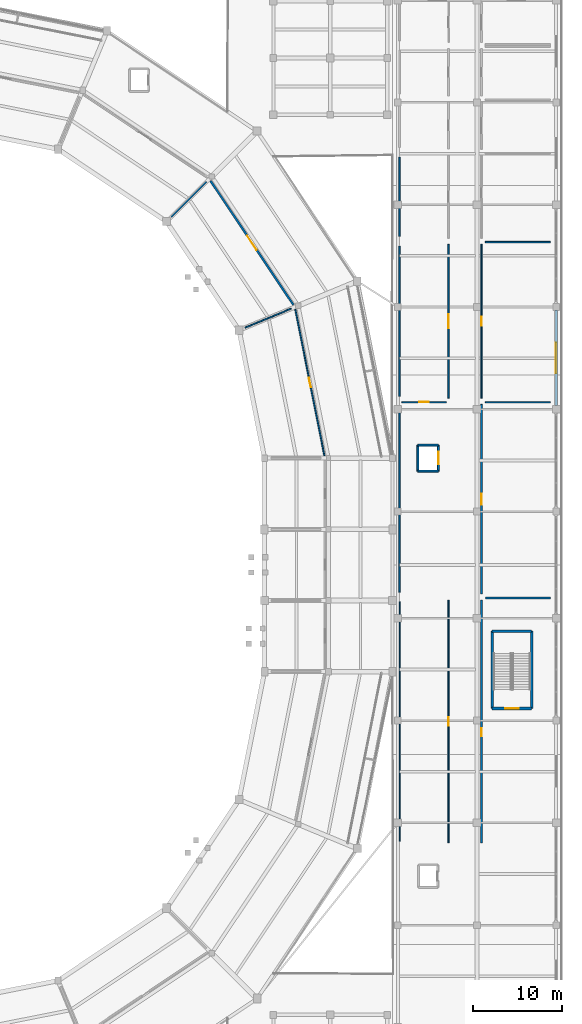
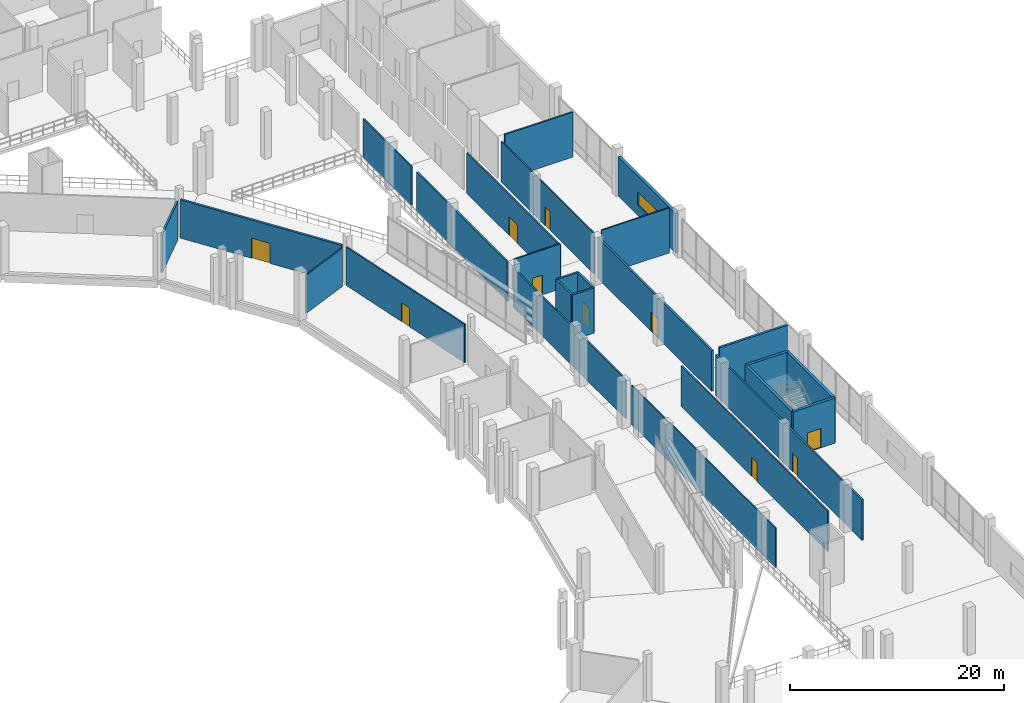
# One storey, part 79 of 114: 26 walls, 10 doors, 1 window, 11 openings.
"""IFC4 building model written with IfcOpenShell, lengths in metres."""

from ifc_helpers import new_model, si_unit, direction, frame, frame_2d, origin, place, context, subcontext, project, spatial, rectangle, extrude, material, layer, layer_set, type_object, element, fill, save


model = new_model("IFC4")

# Units and contexts
model_context = context("Model", 3, precision=1e-05, world=origin(), true_north=direction((0.0, 1.0)))
body_context = subcontext(model_context, "Body", "Model", "MODEL_VIEW")
ifc_project = project(units=[si_unit("LENGTHUNIT", "METRE"), si_unit("AREAUNIT", "SQUARE_METRE"), si_unit("VOLUMEUNIT", "CUBIC_METRE"), si_unit("PLANEANGLEUNIT", "RADIAN"), si_unit("MASSUNIT", "GRAM", prefix="KILO")], contexts=[model_context])

# Site, building, storey
site_placement = place(None, origin())
site = spatial("IfcSite", under=ifc_project, at=site_placement, CompositionType="ELEMENT")
building_placement = place(site_placement, origin())
building = spatial("IfcBuilding", under=site, at=building_placement, Name="Candeia Ridge Stadium", CompositionType="ELEMENT")
storey_placement = place(building_placement, frame((0.0, 0.0, 5.39990234375)))
storey = spatial("IfcBuildingStorey", under=building, at=storey_placement, Name="L01", CompositionType="ELEMENT", Elevation=5.39990234375)

# Wall, opening, door
ifc_material_1 = material(Name="Gypsum Metal-Stud Partition", Category="gypsum")
ifc_layer_1 = layer(ifc_material_1, 0.14501953125, Name="Gypsum Metal-Stud Partition", Category="gypsum")
ifc_layer_set_1 = layer_set([ifc_layer_1], Name="Gypsum Metal-Stud Partition")
wall_type_1 = type_object("IfcWallType", Name="Athlete Recovery Partition 145", PredefinedType="PARTITIONING", material=ifc_layer_set_1)
wall_1_placement = place(storey_placement, frame((199.300048828125, 79.050048828125, 0.0), z_axis=(0.0, 0.0, 1.0), x_axis=(0.0, -1.0, 0.0)))
wall_1 = element("IfcWall", 1, at=wall_1_placement, inside=storey, type_object=wall_type_1, Name="Interior partition PT-L01-0196", PredefinedType="PARTITIONING", context=body_context, shape_type="SweptSolid", body=[
    extrude(rectangle(XDim=27.300048828125, YDim=0.14501953125, at=frame_2d((13.64990234375, 0.0))), origin(), (0.0, 0.0, 1.0), 4.625),
])
opening_1_placement = place(wall_1_placement, frame((13.14990234375, 0.0, 0.0)))
opening_1 = element("IfcOpeningElement", 2, at=opening_1_placement, cuts=wall_1, Name="Opening ID04", PredefinedType="OPENING", context=body_context, shape_type="SweptSolid", body=[
    extrude(rectangle(XDim=1.0, YDim=2.14990234375, at=frame_2d((0.5, 1.074951171875))), frame((0.0, 0.08251953125, 0.0), z_axis=(0.0, -1.0, 0.0), x_axis=(1.0, 0.0, 0.0)), (0.0, 0.0, 1.0), 0.1650390625),
])
ifc_material_2 = material(Name="Powder-Coated Hollow Metal", Category="steel")
door_type_1 = type_object("IfcDoorType", Name="Concourse Kiosk Service Door 1000x2150", OperationType="NOTDEFINED", PredefinedType="DOOR", material=ifc_material_2)
door_1_placement = place(opening_1_placement, frame((1.0, 0.0, 0.0), z_axis=(0.0, 0.0, 1.0), x_axis=(-1.0, 0.0, 0.0)))
door_1 = element("IfcDoor", 3, at=door_1_placement, inside=storey, type_object=door_type_1, Name="Interior room door D-L01-0103", OperationType="SINGLE_SWING_RIGHT", OverallHeight=2.14990234375, OverallWidth=1.0, PredefinedType="DOOR", context=body_context, shape_type="SweptSolid", body=[
    extrude(rectangle(XDim=1.0, YDim=2.14990234375, at=frame_2d((0.5, 1.074951171875))), frame((0.0, 0.02490234375, 0.0), z_axis=(0.0, -1.0, 0.0), x_axis=(1.0, 0.0, 0.0)), (0.0, 0.0, 1.0), 0.050048828125),
])
fill(opening_1, door_1)

# Walls
wall_2_placement = place(storey_placement, frame((203.449951171875, 101.300048828125, 0.0), z_axis=(0.0, 0.0, 1.0), x_axis=(1.0, 0.0, 0.0)))
element("IfcWall", 4, at=wall_2_placement, inside=storey, type_object=wall_type_1, Name="Demising partition PT-L01-0203", PredefinedType="PARTITIONING", context=body_context, shape_type="SweptSolid", body=[
    extrude(rectangle(XDim=7.300048828125, YDim=0.14501953125, at=frame_2d((3.64990234375, 0.0))), origin(), (0.0, 0.0, 1.0), 5.1201171875),
])
wall_3_placement = place(storey_placement, frame((176.4306640625, 109.67578125, 0.0), z_axis=(0.0, 0.0, 1.0), x_axis=(0.923879745429, 0.382682918336, 0.0)))
element("IfcWall", 5, at=wall_3_placement, inside=storey, type_object=wall_type_1, Name="Demising partition PT-L01-0329", PredefinedType="PARTITIONING", context=body_context, shape_type="SweptSolid", body=[
    extrude(rectangle(XDim=5.60009765625, YDim=0.14501953125, at=frame_2d((2.800048828125, 0.0))), origin(), (0.0, 0.0, 1.0), 4.364990234375),
])
ifc_material_3 = material(Name="Gypsum Acoustic Twin-Stud Assembly", Category="gypsum")
ifc_layer_2 = layer(ifc_material_3, 0.159912109375, Name="Gypsum Acoustic Twin-Stud Assembly", Category="gypsum")
ifc_layer_set_2 = layer_set([ifc_layer_2], Name="Gypsum Acoustic Twin-Stud Assembly")
wall_type_2 = type_object("IfcWallType", Name="Club Dining Acoustic Partition 160", PredefinedType="PARTITIONING", material=ifc_layer_set_2)
wall_4_placement = place(storey_placement, frame((193.800048828125, 79.949951171875, 0.0), z_axis=(0.0, 0.0, 1.0), x_axis=(0.0, 1.0, 0.0)))
element("IfcWall", 6, at=wall_4_placement, inside=storey, type_object=wall_type_2, Name="Demising partition PT-L01-0201", PredefinedType="PARTITIONING", context=body_context, shape_type="SweptSolid", body=[
    extrude(rectangle(XDim=20.900146484375, YDim=0.159912109375, at=frame_2d((10.4501953125, 0.0))), origin(), (0.0, 0.0, 1.0), 4.47509765625),
])

# Wall, opening, door
wall_5_placement = place(storey_placement, frame((199.300048828125, 119.050048828125, 0.0), z_axis=(0.0, 0.0, 1.0), x_axis=(0.0, -1.0, 0.0)))
wall_5 = element("IfcWall", 7, at=wall_5_placement, inside=storey, type_object=wall_type_2, Name="Interior partition PT-L01-0204", PredefinedType="PARTITIONING", context=body_context, shape_type="SweptSolid", body=[
    extrude(rectangle(XDim=17.300048828125, YDim=0.159912109375, at=frame_2d((8.64990234375, 0.0))), origin(), (0.0, 0.0, 1.0), 4.625),
])
opening_2_placement = place(wall_5_placement, frame((7.875, 0.0, 0.0)))
opening_2 = element("IfcOpeningElement", 8, at=opening_2_placement, cuts=wall_5, Name="Opening ID14", PredefinedType="OPENING", context=body_context, shape_type="SweptSolid", body=[
    extrude(rectangle(XDim=1.550048828125, YDim=2.14990234375, at=frame_2d((0.77490234375, 1.074951171875))), frame((0.0, 0.08984375, 0.0), z_axis=(0.0, -1.0, 0.0), x_axis=(1.0, 0.0, 0.0)), (0.0, 0.0, 1.0), 0.179931640625),
])
ifc_material_4 = material(Name="Brushed Stainless Steel", Category="steel")
door_type_2 = type_object("IfcDoorType", Name="Catering Kitchen Double Door 1550x2150", OperationType="NOTDEFINED", PredefinedType="DOOR", material=ifc_material_4)
door_2_placement = place(opening_2_placement, origin())
door_2 = element("IfcDoor", 9, at=door_2_placement, inside=storey, type_object=door_type_2, Name="Interior room door D-L01-0107", OperationType="DOUBLE_DOOR_SINGLE_SWING", OverallHeight=2.14990234375, OverallWidth=1.550048828125, PredefinedType="DOOR", context=body_context, shape_type="SweptSolid", body=[
    extrude(rectangle(XDim=1.550048828125, YDim=2.14990234375, at=frame_2d((0.77490234375, 1.074951171875))), frame((0.0, 0.02490234375, 0.0), z_axis=(0.0, -1.0, 0.0), x_axis=(1.0, 0.0, 0.0)), (0.0, 0.0, 1.0), 0.050048828125),
])
fill(opening_2, door_2)

ifc_material_5 = material(Name="Concrete Masonry Blockwork C25/30", Category="masonry")
ifc_layer_3 = layer(ifc_material_5, 0.14990234375, Name="Concrete Masonry Blockwork C25/30", Category="masonry")
ifc_layer_set_3 = layer_set([ifc_layer_3], Name="Concrete Masonry Blockwork C25/30")
wall_type_3 = type_object("IfcWallType", Name="Concourse Kiosk Partition 150", PredefinedType="PARTITIONING", material=ifc_layer_set_3)
wall_6_placement = place(storey_placement, frame((194.050048828125, 101.300048828125, 0.0), z_axis=(0.0, 0.0, 1.0), x_axis=(1.0, 0.0, 0.0)))
wall_6 = element("IfcWall", 10, at=wall_6_placement, inside=storey, type_object=wall_type_3, Name="Interior partition PT-L01-0200", PredefinedType="PARTITIONING", context=body_context, shape_type="SweptSolid", body=[
    extrude(rectangle(XDim=5.0, YDim=0.14990234375, at=frame_2d((2.5, 0.0))), origin(), (0.0, 0.0, 1.0), 5.1201171875),
])
opening_3_placement = place(wall_6_placement, frame((1.9599609375, 0.0, 0.0)))
opening_3 = element("IfcOpeningElement", 11, at=opening_3_placement, cuts=wall_6, Name="Opening ID08", PredefinedType="OPENING", context=body_context, shape_type="SweptSolid", body=[
    extrude(rectangle(XDim=1.080078125, YDim=2.25, at=frame_2d((0.5400390625, 1.125))), frame((0.0, 0.0849609375, 0.0), z_axis=(0.0, -1.0, 0.0), x_axis=(1.0, 0.0, 0.0)), (0.0, 0.0, 1.0), 0.169921875),
])
ifc_material_6 = material(Name="Western Red Cedar Acoustic Veneer", Category="wood")
door_type_3 = type_object("IfcDoorType", Name="Executive Skybox Entry Door 1080x2250", OperationType="NOTDEFINED", PredefinedType="DOOR", material=ifc_material_6)
door_3_placement = place(opening_3_placement, origin())
door_3 = element("IfcDoor", 12, at=door_3_placement, inside=storey, type_object=door_type_3, Name="Interior room door D-L01-0105", OperationType="SINGLE_SWING_RIGHT", OverallHeight=2.25, OverallWidth=1.080078125, PredefinedType="DOOR", context=body_context, shape_type="SweptSolid", body=[
    extrude(rectangle(XDim=1.080078125, YDim=2.25, at=frame_2d((0.5400390625, 1.125))), frame((0.0, 0.02490234375, 0.0), z_axis=(0.0, -1.0, 0.0), x_axis=(1.0, 0.0, 0.0)), (0.0, 0.0, 1.0), 0.050048828125),
])
fill(opening_3, door_3)

# Wall
wall_7_placement = place(storey_placement, frame((193.800048828125, 119.949951171875, 0.0), z_axis=(0.0, 0.0, 1.0), x_axis=(0.0, 1.0, 0.0)))
element("IfcWall", 13, at=wall_7_placement, inside=storey, type_object=wall_type_3, Name="Demising partition PT-L01-0209", PredefinedType="PARTITIONING", context=body_context, shape_type="SweptSolid", body=[
    extrude(rectangle(XDim=8.900146484375, YDim=0.14990234375, at=frame_2d((4.4501953125, 0.0))), origin(), (0.0, 0.0, 1.0), 4.47509765625),
])

# Wall, opening, door
wall_8_placement = place(storey_placement, frame((182.069091796875, 111.745849609375, 0.0), z_axis=(0.0, 0.0, 1.0), x_axis=(0.195086564225, -0.980786027867, 0.0)))
wall_8 = element("IfcWall", 14, at=wall_8_placement, inside=storey, type_object=wall_type_3, Name="Interior partition PT-L01-0328", PredefinedType="PARTITIONING", context=body_context, shape_type="SweptSolid", body=[
    extrude(rectangle(XDim=16.783203125, YDim=0.14990234375, at=frame_2d((8.3916015625, 0.0))), origin(), (0.0, 0.0, 1.0), 4.375),
])
opening_4_placement = place(wall_8_placement, frame((7.841552734375, 0.0, 0.0)))
opening_4 = element("IfcOpeningElement", 15, at=opening_4_placement, cuts=wall_8, Name="Opening FD04", PredefinedType="OPENING", context=body_context, shape_type="SweptSolid", body=[
    extrude(rectangle(XDim=1.10009765625, YDim=2.14990234375, at=frame_2d((0.550048828125, 1.074951171875))), frame((0.0, 0.0849609375, 0.0), z_axis=(0.0, -1.0, 0.0), x_axis=(1.0, 0.0, 0.0)), (0.0, 0.0, 1.0), 0.169921875),
])
ifc_material_7 = material(Name="Galvanized Fire-Rated Steel", Category="steel")
door_type_4 = type_object("IfcDoorType", Name="Plant & Riser Rated Door 1100x2150", OperationType="NOTDEFINED", PredefinedType="DOOR", material=ifc_material_7)
door_4_placement = place(opening_4_placement, origin())
door_4 = element("IfcDoor", 16, at=door_4_placement, inside=storey, type_object=door_type_4, Name="Interior room door D-L01-0169", OperationType="SINGLE_SWING_LEFT", OverallHeight=2.14990234375, OverallWidth=1.10009765625, PredefinedType="DOOR", context=body_context, shape_type="SweptSolid", body=[
    extrude(rectangle(XDim=1.10009765625, YDim=2.14990234375, at=frame_2d((0.550048828125, 1.074951171875))), frame((0.0, 0.02490234375, 0.0), z_axis=(0.0, -1.0, 0.0), x_axis=(1.0, 0.0, 0.0)), (0.0, 0.0, 1.0), 0.050048828125),
])
fill(opening_4, door_4)

# Walls
ifc_material_8 = material(Name="Concrete C45/55", Category="concrete")
ifc_layer_4 = layer(ifc_material_8, 0.300048828125, Name="Concrete C45/55", Category="concrete")
ifc_layer_set_4 = layer_set([ifc_layer_4], Name="Concrete C45/55")
wall_type_4 = type_object("IfcWallType", Name="Core Shear Wall Concrete 300", PredefinedType="SHEAR", material=ifc_layer_set_4)
wall_9_placement = place(storey_placement, frame((208.649658203125, 66.850341796875, 0.0), z_axis=(0.0, 0.0, 1.0), x_axis=(0.0, 1.0, 0.0)))
element("IfcWall", 17, at=wall_9_placement, inside=storey, type_object=wall_type_4, Name="Core C16 left shear wall L01", PredefinedType="SHEAR", context=body_context, shape_type="SweptSolid", body=[
    extrude(rectangle(XDim=8.69921875, YDim=0.300048828125, at=frame_2d((4.349609375, 0.0))), origin(), (0.0, 0.0, 1.0), 5.14013671875),
])
wall_10_placement = place(storey_placement, frame((208.649658203125, 75.549560546875, 0.0), z_axis=(0.0, 0.0, 1.0), x_axis=(-1.0, 0.0, 0.0)))
element("IfcWall", 18, at=wall_10_placement, inside=storey, type_object=wall_type_4, Name="Core C16 far shear wall L01", PredefinedType="SHEAR", context=body_context, shape_type="SweptSolid", body=[
    extrude(rectangle(XDim=4.44921875, YDim=0.300048828125, at=frame_2d((2.224609375, 0.0))), origin(), (0.0, 0.0, 1.0), 5.14013671875),
])
wall_11_placement = place(storey_placement, frame((204.200439453125, 75.549560546875, 0.0), z_axis=(0.0, 0.0, 1.0), x_axis=(0.0, -1.0, 0.0)))
element("IfcWall", 19, at=wall_11_placement, inside=storey, type_object=wall_type_4, Name="Core C16 right shear wall L01", PredefinedType="SHEAR", context=body_context, shape_type="SweptSolid", body=[
    extrude(rectangle(XDim=8.69921875, YDim=0.300048828125, at=frame_2d((4.349609375, 0.0))), origin(), (0.0, 0.0, 1.0), 5.14013671875),
])

# Wall, opening, door
wall_12_placement = place(storey_placement, frame((204.200439453125, 66.850341796875, 0.0), z_axis=(0.0, 0.0, 1.0), x_axis=(1.0, 0.0, 0.0)))
wall_12 = element("IfcWall", 20, at=wall_12_placement, inside=storey, type_object=wall_type_4, Name="Core C16 near shear wall L01", PredefinedType="SHEAR", context=body_context, shape_type="SweptSolid", body=[
    extrude(rectangle(XDim=4.44921875, YDim=0.300048828125, at=frame_2d((2.224609375, 0.0))), origin(), (0.0, 0.0, 1.0), 5.14013671875),
])
opening_5_placement = place(wall_12_placement, frame((1.474609375, 0.0, 0.0)))
opening_5 = element("IfcOpeningElement", 21, at=opening_5_placement, cuts=wall_12, Name="Opening FD01", PredefinedType="OPENING", context=body_context, shape_type="SweptSolid", body=[
    extrude(rectangle(XDim=1.5, YDim=2.199951171875, at=frame_2d((0.75, 1.10009765625))), frame((0.0, 0.159912109375, 0.0), z_axis=(0.0, -1.0, 0.0), x_axis=(1.0, 0.0, 0.0)), (0.0, 0.0, 1.0), 0.320068359375),
])
door_type_5 = type_object("IfcDoorType", Name="Exit Stair Core Fire Door 1500x2200", OperationType="NOTDEFINED", PredefinedType="DOOR", material=ifc_material_7)
door_5_placement = place(opening_5_placement, origin())
door_5 = element("IfcDoor", 22, at=door_5_placement, inside=storey, type_object=door_type_5, Name="Exit stair fire door SD-ST16-L01", OperationType="DOUBLE_DOOR_SINGLE_SWING", OverallHeight=2.199951171875, OverallWidth=1.5, PredefinedType="DOOR", context=body_context, shape_type="SweptSolid", body=[
    extrude(rectangle(XDim=1.5, YDim=2.199951171875, at=frame_2d((0.75, 1.10009765625))), frame((0.0, 0.02490234375, 0.0), z_axis=(0.0, -1.0, 0.0), x_axis=(1.0, 0.0, 0.0)), (0.0, 0.0, 1.0), 0.050048828125),
])
fill(opening_5, door_5)

ifc_layer_5 = layer(ifc_material_3, 0.179931640625, Name="Gypsum Acoustic Twin-Stud Assembly", Category="gypsum")
ifc_layer_set_5 = layer_set([ifc_layer_5], Name="Gypsum Acoustic Twin-Stud Assembly")
wall_type_5 = type_object("IfcWallType", Name="Corridor Fire Partition 180", PredefinedType="PARTITIONING", material=ifc_layer_set_5)
wall_13_placement = place(storey_placement, frame((203.0, 51.75, 0.0), z_axis=(0.0, 0.0, 1.0), x_axis=(0.0, 1.0, 0.0)))
wall_13 = element("IfcWall", 23, at=wall_13_placement, inside=storey, type_object=wall_type_5, Name="Interior partition PT-L01-0198", PredefinedType="PARTITIONING", context=body_context, shape_type="SweptSolid", body=[
    extrude(rectangle(XDim=27.300048828125, YDim=0.179931640625, at=frame_2d((13.64990234375, 0.0))), origin(), (0.0, 0.0, 1.0), 4.625),
])
opening_6_placement = place(wall_13_placement, frame((12.0, 0.0, 0.0)))
opening_6 = element("IfcOpeningElement", 24, at=opening_6_placement, cuts=wall_13, Name="Opening ID07", PredefinedType="OPENING", context=body_context, shape_type="SweptSolid", body=[
    extrude(rectangle(XDim=0.89990234375, YDim=2.10009765625, at=frame_2d((0.449951171875, 1.050048828125))), frame((0.0, 0.099853515625, 0.0), z_axis=(0.0, -1.0, 0.0), x_axis=(1.0, 0.0, 0.0)), (0.0, 0.0, 1.0), 0.199951171875),
])
ifc_material_9 = material(Name="Moisture-Resistant Laminate", Category="wood")
door_type_6 = type_object("IfcDoorType", Name="Sanitary Lobby Single Door 900x2100", OperationType="NOTDEFINED", PredefinedType="DOOR", material=ifc_material_9)
door_6_placement = place(opening_6_placement, origin())
door_6 = element("IfcDoor", 25, at=door_6_placement, inside=storey, type_object=door_type_6, Name="Interior room door D-L01-0104", OperationType="SINGLE_SWING_LEFT", OverallHeight=2.10009765625, OverallWidth=0.89990234375, PredefinedType="DOOR", context=body_context, shape_type="SweptSolid", body=[
    extrude(rectangle(XDim=0.89990234375, YDim=2.10009765625, at=frame_2d((0.449951171875, 1.050048828125))), frame((0.0, 0.02490234375, 0.0), z_axis=(0.0, -1.0, 0.0), x_axis=(1.0, 0.0, 0.0)), (0.0, 0.0, 1.0), 0.050048828125),
])
fill(opening_6, door_6)

# Wall
ifc_material_10 = material(Name="Moisture-Resistant Masonry & Tile", Category="masonry")
ifc_layer_6 = layer(ifc_material_10, 0.22998046875, Name="Moisture-Resistant Masonry & Tile", Category="masonry")
ifc_layer_set_6 = layer_set([ifc_layer_6], Name="Moisture-Resistant Masonry & Tile")
wall_type_6 = type_object("IfcWallType", Name="Dressing Suite Wet-Wall Chase 230", PredefinedType="PLUMBINGWALL", material=ifc_layer_set_6)
wall_14_placement = place(storey_placement, frame((203.449951171875, 79.300048828125, 0.0), z_axis=(0.0, 0.0, 1.0), x_axis=(1.0, 0.0, 0.0)))
element("IfcWall", 26, at=wall_14_placement, inside=storey, type_object=wall_type_6, Name="Demising partition PT-L01-0199", PredefinedType="PLUMBINGWALL", context=body_context, shape_type="SweptSolid", body=[
    extrude(rectangle(XDim=7.300048828125, YDim=0.22998046875, at=frame_2d((3.64990234375, 0.0))), origin(), (0.0, 0.0, 1.0), 5.1201171875),
])

# Wall, opening, door
wall_15_placement = place(storey_placement, frame((172.534423828125, 126.1875, 0.0), z_axis=(0.0, 0.0, 1.0), x_axis=(0.555572701103, -0.831467963177, 0.0)))
wall_15 = element("IfcWall", 27, at=wall_15_placement, inside=storey, type_object=wall_type_6, Name="Interior partition PT-L01-0330", PredefinedType="PLUMBINGWALL", context=body_context, shape_type="SweptSolid", body=[
    extrude(rectangle(XDim=16.782958984375, YDim=0.22998046875, at=frame_2d((8.3916015625, 0.0))), origin(), (0.0, 0.0, 1.0), 4.364990234375),
])
opening_7_placement = place(wall_15_placement, frame((7.441650390625, 0.0, 0.0)))
opening_7 = element("IfcOpeningElement", 28, at=opening_7_placement, cuts=wall_15, Name="Opening ID10", PredefinedType="OPENING", context=body_context, shape_type="SweptSolid", body=[
    extrude(rectangle(XDim=1.89990234375, YDim=2.300048828125, at=frame_2d((0.949951171875, 1.14990234375))), frame((0.0, 0.125, 0.0), z_axis=(0.0, -1.0, 0.0), x_axis=(1.0, 0.0, 0.0)), (0.0, 0.0, 1.0), 0.25),
])
ifc_material_11 = material(Name="Timber Fire-Rated Acoustic", Category="wood")
door_type_7 = type_object("IfcDoorType", Name="Museum Exhibition Double Door 1900x2300", OperationType="NOTDEFINED", PredefinedType="DOOR", material=ifc_material_11)
door_7_placement = place(opening_7_placement, origin())
door_7 = element("IfcDoor", 29, at=door_7_placement, inside=storey, type_object=door_type_7, Name="Interior room door D-L01-0170", OperationType="DOUBLE_DOOR_SINGLE_SWING", OverallHeight=2.300048828125, OverallWidth=1.89990234375, PredefinedType="DOOR", context=body_context, shape_type="SweptSolid", body=[
    extrude(rectangle(XDim=1.89990234375, YDim=2.300048828125, at=frame_2d((0.949951171875, 1.14990234375))), frame((0.0, 0.02490234375, 0.0), z_axis=(0.0, -1.0, 0.0), x_axis=(1.0, 0.0, 0.0)), (0.0, 0.0, 1.0), 0.050048828125),
])
fill(opening_7, door_7)

# Wall, opening, window
ifc_material_12 = material(Name="Concrete C35/45", Category="concrete")
ifc_layer_7 = layer(ifc_material_12, 0.320068359375, Name="Concrete C35/45", Category="concrete")
ifc_layer_set_7 = layer_set([ifc_layer_7], Name="Concrete C35/45")
wall_type_7 = type_object("IfcWallType", Name="Exterior Cedar-Clad Insulated Wall 320", PredefinedType="SOLIDWALL", material=ifc_layer_set_7)
wall_16_placement = place(storey_placement, frame((211.39990234375, 100.9130859375, 0.0), z_axis=(0.0, 0.0, 1.0), x_axis=(0.0, 1.0, 0.0)))
wall_16 = element("IfcWall", 30, at=wall_16_placement, inside=storey, type_object=wall_type_7, Name="Exterior facade wall EW-L01-0137", PredefinedType="SOLIDWALL", context=body_context, shape_type="SweptSolid", body=[
    extrude(rectangle(XDim=10.723876953125, YDim=0.320068359375, at=frame_2d((5.36181640625, 0.0))), origin(), (0.0, 0.0, 1.0), 4.47509765625),
])
opening_8_placement = place(wall_16_placement, frame((3.662109375, 0.0, 1.199951171875)))
opening_8 = element("IfcOpeningElement", 31, at=opening_8_placement, cuts=wall_16, Name="Opening W09", PredefinedType="OPENING", context=body_context, shape_type="SweptSolid", body=[
    extrude(rectangle(XDim=3.39990234375, YDim=1.5, at=frame_2d((1.699951171875, 0.75))), frame((0.0, 0.169921875, 0.0), z_axis=(0.0, -1.0, 0.0), x_axis=(1.0, 0.0, 0.0)), (0.0, 0.0, 1.0), 0.340087890625),
])
ifc_material_13 = material(Name="Tempered Solar-Control Double Glazing", Category="glass")
window_type = type_object("IfcWindowType", Name="Warm-Up Hall High Window 3400x1500", PartitioningType="SINGLE_PANEL", PredefinedType="WINDOW", material=ifc_material_13)
window_placement = place(opening_8_placement, origin())
window = element("IfcWindow", 32, at=window_placement, inside=storey, type_object=window_type, Name="Exterior window WIN-L01-074", OverallHeight=1.5, OverallWidth=3.39990234375, PartitioningType="SINGLE_PANEL", PredefinedType="WINDOW", context=body_context, shape_type="SweptSolid", body=[
    extrude(rectangle(XDim=3.39990234375, YDim=1.5, at=frame_2d((1.699951171875, 0.75))), frame((0.0, 0.030029296875, 0.0), z_axis=(0.0, -1.0, 0.0), x_axis=(1.0, 0.0, 0.0)), (0.0, 0.0, 1.0), 0.06005859375),
])
fill(opening_8, window)

# Walls
ifc_layer_8 = layer(ifc_material_3, 0.1650390625, Name="Gypsum Acoustic Twin-Stud Assembly", Category="gypsum")
ifc_layer_set_8 = layer_set([ifc_layer_8], Name="Gypsum Acoustic Twin-Stud Assembly")
wall_type_8 = type_object("IfcWallType", Name="Hospitality Suite Acoustic Wall 165", PredefinedType="PARTITIONING", material=ifc_layer_set_8)
wall_17_placement = place(storey_placement, frame((203.449951171875, 119.300048828125, 0.0), z_axis=(0.0, 0.0, 1.0), x_axis=(1.0, 0.0, 0.0)))
element("IfcWall", 33, at=wall_17_placement, inside=storey, type_object=wall_type_8, Name="Demising partition PT-L01-0207", PredefinedType="PARTITIONING", context=body_context, shape_type="SweptSolid", body=[
    extrude(rectangle(XDim=7.300048828125, YDim=0.1650390625, at=frame_2d((3.64990234375, 0.0))), origin(), (0.0, 0.0, 1.0), 5.1201171875),
])
ifc_material_14 = material(Name="Concrete C40/50", Category="concrete")
ifc_layer_9 = layer(ifc_material_14, 0.219970703125, Name="Concrete C40/50", Category="concrete")
ifc_layer_set_9 = layer_set([ifc_layer_9], Name="Concrete C40/50")
wall_type_9 = type_object("IfcWallType", Name="Lift & Riser Shaft Wall 220", PredefinedType="SHEAR", material=ifc_layer_set_9)
wall_18_placement = place(storey_placement, frame((195.840087890625, 93.5400390625, 0.0), z_axis=(0.0, 0.0, 1.0), x_axis=(1.0, 0.0, 0.0)))
element("IfcWall", 34, at=wall_18_placement, inside=storey, type_object=wall_type_9, Name="Lift GL2 shaft wall L01 south", PredefinedType="SHEAR", context=body_context, shape_type="SweptSolid", body=[
    extrude(rectangle(XDim=2.31982421875, YDim=0.219970703125, at=frame_2d((1.159912109375, 0.0))), origin(), (0.0, 0.0, 1.0), 5.14013671875),
])

# Wall, opening, door
wall_19_placement = place(storey_placement, frame((198.159912109375, 93.5400390625, 0.0), z_axis=(0.0, 0.0, 1.0), x_axis=(0.0, 1.0, 0.0)))
wall_19 = element("IfcWall", 35, at=wall_19_placement, inside=storey, type_object=wall_type_9, Name="Lift GL2 shaft wall L01 east", PredefinedType="SHEAR", context=body_context, shape_type="SweptSolid", body=[
    extrude(rectangle(XDim=2.919921875, YDim=0.219970703125, at=frame_2d((1.4599609375, 0.0))), origin(), (0.0, 0.0, 1.0), 5.14013671875),
])
opening_9_placement = place(wall_19_placement, frame((0.760009765625, 0.0, 0.0)))
opening_9 = element("IfcOpeningElement", 36, at=opening_9_placement, cuts=wall_19, Name="Opening LD03", PredefinedType="OPENING", context=body_context, shape_type="SweptSolid", body=[
    extrude(rectangle(XDim=1.39990234375, YDim=2.300048828125, at=frame_2d((0.699951171875, 1.14990234375))), frame((0.0, 0.119873046875, 0.0), z_axis=(0.0, -1.0, 0.0), x_axis=(1.0, 0.0, 0.0)), (0.0, 0.0, 1.0), 0.239990234375),
])
door_type_8 = type_object("IfcDoorType", Name="Goods Lift Landing Door 1400x2300", OperationType="NOTDEFINED", PredefinedType="DOOR", material=ifc_material_4)
door_8_placement = place(opening_9_placement, origin())
door_8 = element("IfcDoor", 37, at=door_8_placement, inside=storey, type_object=door_type_8, Name="Lift landing sliding door LD-GL2-L01", OperationType="DOUBLE_DOOR_SLIDING", OverallHeight=2.300048828125, OverallWidth=1.39990234375, PredefinedType="DOOR", context=body_context, shape_type="SweptSolid", body=[
    extrude(rectangle(XDim=1.39990234375, YDim=2.300048828125, at=frame_2d((0.699951171875, 1.14990234375))), frame((0.0, 0.02490234375, 0.0), z_axis=(0.0, -1.0, 0.0), x_axis=(1.0, 0.0, 0.0)), (0.0, 0.0, 1.0), 0.050048828125),
])
fill(opening_9, door_8)

# Walls
wall_20_placement = place(storey_placement, frame((198.159912109375, 96.4599609375, 0.0), z_axis=(0.0, 0.0, 1.0), x_axis=(-1.0, 0.0, 0.0)))
element("IfcWall", 38, at=wall_20_placement, inside=storey, type_object=wall_type_9, Name="Lift GL2 shaft wall L01 north", PredefinedType="SHEAR", context=body_context, shape_type="SweptSolid", body=[
    extrude(rectangle(XDim=2.31982421875, YDim=0.219970703125, at=frame_2d((1.159912109375, 0.0))), origin(), (0.0, 0.0, 1.0), 5.14013671875),
])
wall_21_placement = place(storey_placement, frame((195.840087890625, 96.4599609375, 0.0), z_axis=(0.0, 0.0, 1.0), x_axis=(0.0, -1.0, 0.0)))
element("IfcWall", 39, at=wall_21_placement, inside=storey, type_object=wall_type_9, Name="Lift GL2 shaft wall L01 west", PredefinedType="SHEAR", context=body_context, shape_type="SweptSolid", body=[
    extrude(rectangle(XDim=2.919921875, YDim=0.219970703125, at=frame_2d((1.4599609375, 0.0))), origin(), (0.0, 0.0, 1.0), 5.14013671875),
])
ifc_material_15 = material(Name="Gypsum Acoustic Triple-Board Wall", Category="gypsum")
ifc_layer_10 = layer(ifc_material_15, 0.18505859375, Name="Gypsum Acoustic Triple-Board Wall", Category="gypsum")
ifc_layer_set_10 = layer_set([ifc_layer_10], Name="Gypsum Acoustic Triple-Board Wall")
wall_type_10 = type_object("IfcWallType", Name="Media Booth Studio Divider 185", PredefinedType="PARTITIONING", material=ifc_layer_set_10)
wall_22_placement = place(storey_placement, frame((193.800048828125, 101.949951171875, 0.0), z_axis=(0.0, 0.0, 1.0), x_axis=(0.0, 1.0, 0.0)))
element("IfcWall", 40, at=wall_22_placement, inside=storey, type_object=wall_type_10, Name="Demising partition PT-L01-0205", PredefinedType="PARTITIONING", context=body_context, shape_type="SweptSolid", body=[
    extrude(rectangle(XDim=16.900146484375, YDim=0.18505859375, at=frame_2d((8.4501953125, 0.0))), origin(), (0.0, 0.0, 1.0), 4.47509765625),
])
wall_23_placement = place(storey_placement, frame((168.117431640625, 122.117431640625, 0.0), z_axis=(0.0, 0.0, 1.0), x_axis=(0.707106781187, 0.707106781187, 0.0)))
element("IfcWall", 41, at=wall_23_placement, inside=storey, type_object=wall_type_10, Name="Demising partition PT-L01-0331", PredefinedType="PARTITIONING", context=body_context, shape_type="SweptSolid", body=[
    extrude(rectangle(XDim=5.600341796875, YDim=0.18505859375, at=frame_2d((2.80029296875, 0.0))), origin(), (0.0, 0.0, 1.0), 4.385009765625),
])

# Wall, opening, door
ifc_layer_11 = layer(ifc_material_10, 0.2099609375, Name="Moisture-Resistant Masonry & Tile", Category="masonry")
ifc_layer_set_11 = layer_set([ifc_layer_11], Name="Moisture-Resistant Masonry & Tile")
wall_type_11 = type_object("IfcWallType", Name="Sanitary Wet-Wall Plumbing Chase 210", PredefinedType="PLUMBINGWALL", material=ifc_layer_set_11)
wall_24_placement = place(storey_placement, frame((203.0, 79.75, 0.0), z_axis=(0.0, 0.0, 1.0), x_axis=(0.0, 1.0, 0.0)))
wall_24 = element("IfcWall", 42, at=wall_24_placement, inside=storey, type_object=wall_type_11, Name="Interior partition PT-L01-0202", PredefinedType="PLUMBINGWALL", context=body_context, shape_type="SweptSolid", body=[
    extrude(rectangle(XDim=21.300048828125, YDim=0.2099609375, at=frame_2d((10.64990234375, 0.0))), origin(), (0.0, 0.0, 1.0), 4.625),
])
opening_10_placement = place(wall_24_placement, frame((10.02490234375, 0.0, 0.0)))
opening_10 = element("IfcOpeningElement", 43, at=opening_10_placement, cuts=wall_24, Name="Opening ID11", PredefinedType="OPENING", context=body_context, shape_type="SweptSolid", body=[
    extrude(rectangle(XDim=1.25, YDim=2.199951171875, at=frame_2d((0.625, 1.10009765625))), frame((0.0, 0.114990234375, 0.0), z_axis=(0.0, -1.0, 0.0), x_axis=(1.0, 0.0, 0.0)), (0.0, 0.0, 1.0), 0.22998046875),
])
ifc_material_16 = material(Name="Acoustic Timber Studio Leaf", Category="wood")
door_type_9 = type_object("IfcDoorType", Name="Press Tribune Acoustic Door 1250x2200", OperationType="NOTDEFINED", PredefinedType="DOOR", material=ifc_material_16)
door_9_placement = place(opening_10_placement, frame((1.25, 0.0, 0.0), z_axis=(0.0, 0.0, 1.0), x_axis=(-1.0, 0.0, 0.0)))
door_9 = element("IfcDoor", 44, at=door_9_placement, inside=storey, type_object=door_type_9, Name="Interior room door D-L01-0106", OperationType="SINGLE_SWING_LEFT", OverallHeight=2.199951171875, OverallWidth=1.25, PredefinedType="DOOR", context=body_context, shape_type="SweptSolid", body=[
    extrude(rectangle(XDim=1.25, YDim=2.199951171875, at=frame_2d((0.625, 1.10009765625))), frame((0.0, 0.02490234375, 0.0), z_axis=(0.0, -1.0, 0.0), x_axis=(1.0, 0.0, 0.0)), (0.0, 0.0, 1.0), 0.050048828125),
])
fill(opening_10, door_9)

# Wall
ifc_layer_12 = layer(ifc_material_1, 0.1201171875, Name="Gypsum Metal-Stud Partition", Category="gypsum")
ifc_layer_set_12 = layer_set([ifc_layer_12], Name="Gypsum Metal-Stud Partition")
wall_type_12 = type_object("IfcWallType", Name="Suite Internal Divider 120", PredefinedType="PARTITIONING", material=ifc_layer_set_12)
wall_25_placement = place(storey_placement, frame((193.800048828125, 51.949951171875, 0.0), z_axis=(0.0, 0.0, 1.0), x_axis=(0.0, 1.0, 0.0)))
element("IfcWall", 45, at=wall_25_placement, inside=storey, type_object=wall_type_12, Name="Demising partition PT-L01-0197", PredefinedType="PARTITIONING", context=body_context, shape_type="SweptSolid", body=[
    extrude(rectangle(XDim=26.900146484375, YDim=0.1201171875, at=frame_2d((13.4501953125, 0.0))), origin(), (0.0, 0.0, 1.0), 4.47509765625),
])

# Wall, opening, door
ifc_layer_13 = layer(ifc_material_1, 0.1298828125, Name="Gypsum Metal-Stud Partition", Category="gypsum")
ifc_layer_set_13 = layer_set([ifc_layer_13], Name="Gypsum Metal-Stud Partition")
wall_type_13 = type_object("IfcWallType", Name="Ticketing Back-Office Partition 130", PredefinedType="PARTITIONING", material=ifc_layer_set_13)
wall_26_placement = place(storey_placement, frame((203.0, 101.75, 0.0), z_axis=(0.0, 0.0, 1.0), x_axis=(0.0, 1.0, 0.0)))
wall_26 = element("IfcWall", 46, at=wall_26_placement, inside=storey, type_object=wall_type_13, Name="Interior partition PT-L01-0206", PredefinedType="PARTITIONING", context=body_context, shape_type="SweptSolid", body=[
    extrude(rectangle(XDim=17.300048828125, YDim=0.1298828125, at=frame_2d((8.64990234375, 0.0))), origin(), (0.0, 0.0, 1.0), 4.625),
])
opening_11_placement = place(wall_26_placement, frame((8.169921875, 0.0, 0.0)))
opening_11 = element("IfcOpeningElement", 47, at=opening_11_placement, cuts=wall_26, Name="Opening ID17", PredefinedType="OPENING", context=body_context, shape_type="SweptSolid", body=[
    extrude(rectangle(XDim=0.9599609375, YDim=2.14990234375, at=frame_2d((0.47998046875, 1.074951171875))), frame((0.0, 0.074951171875, 0.0), z_axis=(0.0, -1.0, 0.0), x_axis=(1.0, 0.0, 0.0)), (0.0, 0.0, 1.0), 0.14990234375),
])
ifc_material_17 = material(Name="Solid Core Cedar Veneer", Category="wood")
door_type_10 = type_object("IfcDoorType", Name="Ticketing Office Single Door 960x2150", OperationType="NOTDEFINED", PredefinedType="DOOR", material=ifc_material_17)
door_10_placement = place(opening_11_placement, frame((0.9599609375, 0.0, 0.0), z_axis=(0.0, 0.0, 1.0), x_axis=(-1.0, 0.0, 0.0)))
door_10 = element("IfcDoor", 48, at=door_10_placement, inside=storey, type_object=door_type_10, Name="Interior room door D-L01-0108", OperationType="SINGLE_SWING_RIGHT", OverallHeight=2.14990234375, OverallWidth=0.9599609375, PredefinedType="DOOR", context=body_context, shape_type="SweptSolid", body=[
    extrude(rectangle(XDim=0.9599609375, YDim=2.14990234375, at=frame_2d((0.47998046875, 1.074951171875))), frame((0.0, 0.02490234375, 0.0), z_axis=(0.0, -1.0, 0.0), x_axis=(1.0, 0.0, 0.0)), (0.0, 0.0, 1.0), 0.050048828125),
])
fill(opening_11, door_10)

save(model, "model.ifc")
